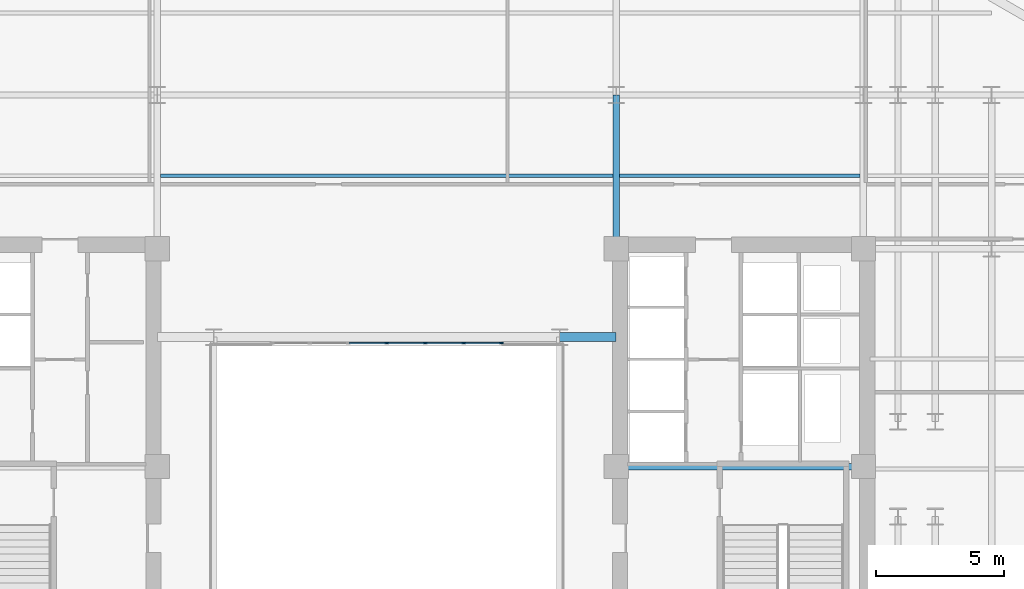
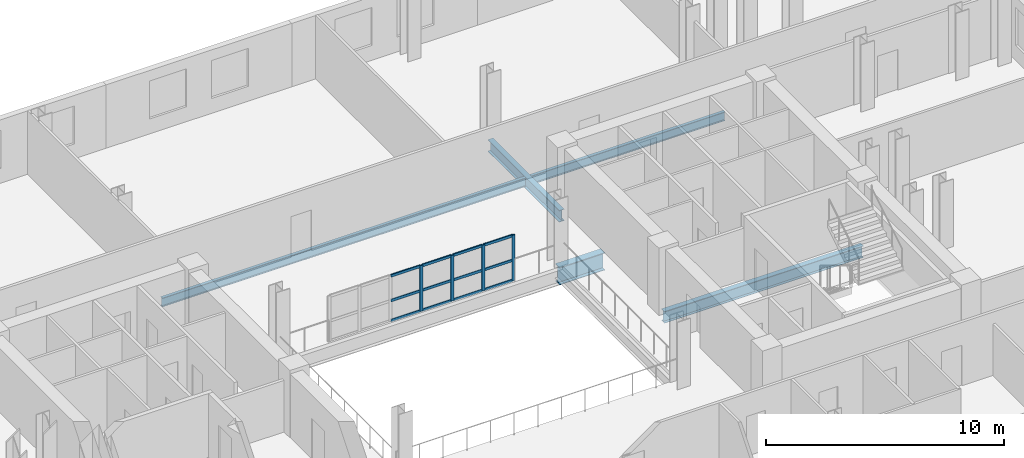
# One storey, part 4 of 12: 16 members, 5 beams, 1 element without a shape of its own.
"""IFC4 building model written with IfcOpenShell, lengths in metres."""

from ifc_helpers import new_model, si_unit, direction, frame, origin, origin_2d, place, context, subcontext, project, spatial, rectangle, i_section, extrude, material, layer, layer_set, material_profile, profile_set, type_object, element, aggregate, save


model = new_model("IFC4")

# Units and contexts
model_context = context("Model", 3, precision=1e-05, world=origin(), true_north=direction((0.0, 1.0)))
body_context = subcontext(model_context, "Body", "Model", "MODEL_VIEW")
ifc_project = project(units=[si_unit("LENGTHUNIT", "METRE"), si_unit("AREAUNIT", "SQUARE_METRE"), si_unit("VOLUMEUNIT", "CUBIC_METRE"), si_unit("PLANEANGLEUNIT", "RADIAN"), si_unit("MASSUNIT", "GRAM", prefix="KILO")], contexts=[model_context])

# Site, building, storey
site_placement = place(None, origin())
site = spatial("IfcSite", under=ifc_project, at=site_placement, CompositionType="ELEMENT")
building_placement = place(site_placement, origin())
building = spatial("IfcBuilding", under=site, at=building_placement, Name="Velakula Bourse", CompositionType="ELEMENT")
storey_placement = place(building_placement, frame((0.0, 0.0, 134.64990234375)))
storey = spatial("IfcBuildingStorey", under=building, at=storey_placement, Name="L36", CompositionType="ELEMENT", Elevation=134.64990234375)

# Beams
ifc_material_1 = material(Name="Steel IS 2062 Grade 350 (E350)", Category="steel")
ifc_material_profile_1 = material_profile(ifc_material_1, i_section(OverallWidth=0.25, OverallDepth=0.60009765625, WebThickness=0.01123046875, FlangeThickness=0.021240234375, at=origin_2d()), Name="Steel IS 2062 Grade 350 (E350)")
ifc_profile_set_1 = profile_set([ifc_material_profile_1], Name="Steel IS 2062 Grade 350 (E350)")
beam_type_1 = type_object("IfcBeamType", Name="BM-GRD-600M", PredefinedType="BEAM", material=ifc_profile_set_1)
beam_1_placement = place(storey_placement, frame((8.949951171875, 0.10009765625, -0.47998046875), z_axis=(1.0, 0.0, 0.0), x_axis=(0.0, 1.0, 0.0)))
element("IfcBeam", 1, at=beam_1_placement, inside=storey, type_object=beam_type_1, Name="L36 Primary Backbone Girder CRE-M", PredefinedType="BEAM", context=body_context, shape_type="SweptSolid", body=[
    extrude(i_section(OverallWidth=0.25, OverallDepth=0.60009765625, WebThickness=0.01123046875, FlangeThickness=0.021240234375, at=origin_2d()), origin(), (0.0, 0.0, 1.0), 9.650146484375),
])
beam_2_placement = place(storey_placement, frame((8.949951171875, 8.60009765625, -0.47998046875), z_axis=(0.0, 1.0, 0.0), x_axis=(-1.0, 0.0, 0.0)))
element("IfcBeam", 2, at=beam_2_placement, inside=storey, type_object=beam_type_1, Name="L36 Fulcrum Grid Girder FLC-ECN", PredefinedType="BEAM", context=body_context, shape_type="SweptSolid", body=[
    extrude(i_section(OverallWidth=0.25, OverallDepth=0.60009765625, WebThickness=0.01123046875, FlangeThickness=0.021240234375, at=origin_2d()), origin(), (0.0, 0.0, 1.0), 6.0),
])
ifc_material_profile_2 = material_profile(ifc_material_1, i_section(OverallWidth=0.35009765625, OverallDepth=0.89990234375, WebThickness=0.02001953125, FlangeThickness=0.031982421875, at=origin_2d()), Name="Steel IS 2062 Grade 350 (E350)")
ifc_profile_set_2 = profile_set([ifc_material_profile_2], Name="Steel IS 2062 Grade 350 (E350)")
beam_type_2 = type_object("IfcBeamType", Name="BM-LNK-900", PredefinedType="BEAM", material=ifc_profile_set_2)
beam_3_placement = place(storey_placement, frame((6.75, 5.14990234375, -0.6298828125), z_axis=(1.0, 0.0, 0.0), x_axis=(0.0, 1.0, 0.0)))
element("IfcBeam", 3, at=beam_3_placement, inside=storey, type_object=beam_type_2, Name="L36 Primary Backbone Girder LNK-N3", PredefinedType="BEAM", context=body_context, shape_type="SweptSolid", body=[
    extrude(i_section(OverallWidth=0.35009765625, OverallDepth=0.89990234375, WebThickness=0.02001953125, FlangeThickness=0.031982421875, at=origin_2d()), origin(), (0.0, 0.0, 1.0), 2.199951171875),
])
ifc_material_profile_3 = material_profile(ifc_material_1, i_section(OverallWidth=0.14990234375, OverallDepth=0.449951171875, WebThickness=0.009521484375, FlangeThickness=0.017333984375, at=origin_2d()), Name="Steel IS 2062 Grade 350 (E350)")
ifc_profile_set_3 = profile_set([ifc_material_profile_3], Name="Steel IS 2062 Grade 350 (E350)")
beam_type_3 = type_object("IfcBeamType", Name="JST-TWR-450", PredefinedType="JOIST", material=ifc_profile_set_3)
beam_4_placement = place(storey_placement, frame((-8.824951171875, 11.449951171875, -0.40478515625), z_axis=(1.0, 0.0, 0.0), x_axis=(0.0, 1.0, 0.0)))
element("IfcBeam", 4, at=beam_4_placement, inside=storey, type_object=beam_type_3, Name="L36 Trading Floor Composite Joist 13", PredefinedType="JOIST", context=body_context, shape_type="SweptSolid", body=[
    extrude(i_section(OverallWidth=0.14990234375, OverallDepth=0.449951171875, WebThickness=0.009521484375, FlangeThickness=0.017333984375, at=origin_2d()), origin(), (0.0, 0.0, 1.0), 17.64990234375),
])
beam_5_placement = place(storey_placement, frame((9.074951171875, 11.449951171875, -0.40478515625), z_axis=(1.0, 0.0, 0.0), x_axis=(0.0, 1.0, 0.0)))
element("IfcBeam", 5, at=beam_5_placement, inside=storey, type_object=beam_type_3, Name="L36 Trading Floor Composite Joist 14", PredefinedType="JOIST", context=body_context, shape_type="SweptSolid", body=[
    extrude(i_section(OverallWidth=0.14990234375, OverallDepth=0.449951171875, WebThickness=0.009521484375, FlangeThickness=0.017333984375, at=origin_2d()), origin(), (0.0, 0.0, 1.0), 9.400146484375),
])

# Curtain wall, members
ifc_material_2 = material(Name="Anodised bronze architectural aluminium", Category="aluminium")
ifc_layer = layer(ifc_material_2, 0.14990234375, Name="Anodised bronze architectural aluminium", Category="aluminium")
ifc_layer_set = layer_set([ifc_layer], Name="Anodised bronze architectural aluminium")
curtain_wall_type = type_object("IfcCurtainWallType", Name="CW-AT1", PredefinedType="NOTDEFINED", material=ifc_layer_set)
curtain_wall_placement = place(storey_placement, origin())
curtain_wall = element("IfcCurtainWall", 6, at=curtain_wall_placement, inside=storey, type_object=curtain_wall_type, Name="L36 Central Trading Atrium Fire-Rated Glazed Screen", PredefinedType="NOTDEFINED")
ifc_material_profile_4 = material_profile(ifc_material_2, rectangle(XDim=0.06005859375, YDim=0.14990234375, at=origin_2d()), Name="Anodised bronze architectural aluminium")
ifc_profile_set_4 = profile_set([ifc_material_profile_4], Name="Anodised bronze architectural aluminium")
member_type_1 = type_object("IfcMemberType", Name="MUL-CW-AT1", PredefinedType="MULLION", material=ifc_profile_set_4)
member_1_placement = place(storey_placement, frame((0.0, 4.919921875, 0.0), z_axis=(0.0, 0.0, 1.0), x_axis=(0.0, 1.0, 0.0)))
member_1 = element("IfcMember", 7, at=member_1_placement, type_object=member_type_1, Name="CW-AT1 mullion 4", PredefinedType="MULLION", context=body_context, shape_type="SweptSolid", body=[
    extrude(rectangle(XDim=0.06005859375, YDim=0.14990234375, at=origin_2d()), origin(), (0.0, 0.0, 1.0), 2.34521484375),
])
member_2_placement = place(storey_placement, frame((1.5, 4.919921875, 0.0), z_axis=(0.0, 0.0, 1.0), x_axis=(0.0, 1.0, 0.0)))
member_2 = element("IfcMember", 8, at=member_2_placement, type_object=member_type_1, Name="CW-AT1 mullion 5", PredefinedType="MULLION", context=body_context, shape_type="SweptSolid", body=[
    extrude(rectangle(XDim=0.06005859375, YDim=0.14990234375, at=origin_2d()), origin(), (0.0, 0.0, 1.0), 2.34521484375),
])
member_3_placement = place(storey_placement, frame((3.0, 4.919921875, 0.0), z_axis=(0.0, 0.0, 1.0), x_axis=(0.0, 1.0, 0.0)))
member_3 = element("IfcMember", 9, at=member_3_placement, type_object=member_type_1, Name="CW-AT1 mullion 6", PredefinedType="MULLION", context=body_context, shape_type="SweptSolid", body=[
    extrude(rectangle(XDim=0.06005859375, YDim=0.14990234375, at=origin_2d()), origin(), (0.0, 0.0, 1.0), 2.34521484375),
])
member_4_placement = place(storey_placement, frame((4.469970703125, 4.919921875, 0.0), z_axis=(0.0, 0.0, 1.0), x_axis=(0.0, 1.0, 0.0)))
member_4 = element("IfcMember", 10, at=member_4_placement, type_object=member_type_1, Name="CW-AT1 mullion 7", PredefinedType="MULLION", context=body_context, shape_type="SweptSolid", body=[
    extrude(rectangle(XDim=0.06005859375, YDim=0.14990234375, at=origin_2d()), origin(), (0.0, 0.0, 1.0), 2.34521484375),
])
ifc_material_profile_5 = material_profile(ifc_material_2, rectangle(XDim=0.06005859375, YDim=0.1298828125, at=origin_2d()), Name="Anodised bronze architectural aluminium")
ifc_profile_set_5 = profile_set([ifc_material_profile_5], Name="Anodised bronze architectural aluminium")
member_type_2 = type_object("IfcMemberType", Name="TRN-CW-AT1", PredefinedType="USERDEFINED", material=ifc_profile_set_5)
member_5_placement = place(storey_placement, frame((-1.469970703125, 4.919921875, 0.030029296875), z_axis=(1.0, 0.0, 0.0), x_axis=(0.0, 1.0, 0.0)))
member_5 = element("IfcMember", 11, at=member_5_placement, type_object=member_type_2, Name="CW-AT1 transom 3.1", ObjectType="TRANSOM", PredefinedType="USERDEFINED", context=body_context, shape_type="SweptSolid", body=[
    extrude(rectangle(XDim=0.06005859375, YDim=0.1298828125, at=origin_2d()), origin(), (0.0, 0.0, 1.0), 1.43994140625),
])
member_6_placement = place(storey_placement, frame((-1.469970703125, 4.919921875, 1.055419921875), z_axis=(1.0, 0.0, 0.0), x_axis=(0.0, 1.0, 0.0)))
member_6 = element("IfcMember", 12, at=member_6_placement, type_object=member_type_2, Name="CW-AT1 transom 3.2", ObjectType="TRANSOM", PredefinedType="USERDEFINED", context=body_context, shape_type="SweptSolid", body=[
    extrude(rectangle(XDim=0.06005859375, YDim=0.1298828125, at=origin_2d()), origin(), (0.0, 0.0, 1.0), 1.43994140625),
])
member_7_placement = place(storey_placement, frame((-1.469970703125, 4.919921875, 2.315185546875), z_axis=(1.0, 0.0, 0.0), x_axis=(0.0, 1.0, 0.0)))
member_7 = element("IfcMember", 13, at=member_7_placement, type_object=member_type_2, Name="CW-AT1 transom 3.3", ObjectType="TRANSOM", PredefinedType="USERDEFINED", context=body_context, shape_type="SweptSolid", body=[
    extrude(rectangle(XDim=0.06005859375, YDim=0.1298828125, at=origin_2d()), origin(), (0.0, 0.0, 1.0), 1.43994140625),
])
member_8_placement = place(storey_placement, frame((0.030029296875, 4.919921875, 0.030029296875), z_axis=(1.0, 0.0, 0.0), x_axis=(0.0, 1.0, 0.0)))
member_8 = element("IfcMember", 14, at=member_8_placement, type_object=member_type_2, Name="CW-AT1 transom 4.1", ObjectType="TRANSOM", PredefinedType="USERDEFINED", context=body_context, shape_type="SweptSolid", body=[
    extrude(rectangle(XDim=0.06005859375, YDim=0.1298828125, at=origin_2d()), origin(), (0.0, 0.0, 1.0), 1.43994140625),
])
member_9_placement = place(storey_placement, frame((0.030029296875, 4.919921875, 1.055419921875), z_axis=(1.0, 0.0, 0.0), x_axis=(0.0, 1.0, 0.0)))
member_9 = element("IfcMember", 15, at=member_9_placement, type_object=member_type_2, Name="CW-AT1 transom 4.2", ObjectType="TRANSOM", PredefinedType="USERDEFINED", context=body_context, shape_type="SweptSolid", body=[
    extrude(rectangle(XDim=0.06005859375, YDim=0.1298828125, at=origin_2d()), origin(), (0.0, 0.0, 1.0), 1.43994140625),
])
member_10_placement = place(storey_placement, frame((0.030029296875, 4.919921875, 2.315185546875), z_axis=(1.0, 0.0, 0.0), x_axis=(0.0, 1.0, 0.0)))
member_10 = element("IfcMember", 16, at=member_10_placement, type_object=member_type_2, Name="CW-AT1 transom 4.3", ObjectType="TRANSOM", PredefinedType="USERDEFINED", context=body_context, shape_type="SweptSolid", body=[
    extrude(rectangle(XDim=0.06005859375, YDim=0.1298828125, at=origin_2d()), origin(), (0.0, 0.0, 1.0), 1.43994140625),
])
member_11_placement = place(storey_placement, frame((1.530029296875, 4.919921875, 0.030029296875), z_axis=(1.0, 0.0, 0.0), x_axis=(0.0, 1.0, 0.0)))
member_11 = element("IfcMember", 17, at=member_11_placement, type_object=member_type_2, Name="CW-AT1 transom 5.1", ObjectType="TRANSOM", PredefinedType="USERDEFINED", context=body_context, shape_type="SweptSolid", body=[
    extrude(rectangle(XDim=0.06005859375, YDim=0.1298828125, at=origin_2d()), origin(), (0.0, 0.0, 1.0), 1.43994140625),
])
member_12_placement = place(storey_placement, frame((1.530029296875, 4.919921875, 1.055419921875), z_axis=(1.0, 0.0, 0.0), x_axis=(0.0, 1.0, 0.0)))
member_12 = element("IfcMember", 18, at=member_12_placement, type_object=member_type_2, Name="CW-AT1 transom 5.2", ObjectType="TRANSOM", PredefinedType="USERDEFINED", context=body_context, shape_type="SweptSolid", body=[
    extrude(rectangle(XDim=0.06005859375, YDim=0.1298828125, at=origin_2d()), origin(), (0.0, 0.0, 1.0), 1.43994140625),
])
member_13_placement = place(storey_placement, frame((1.530029296875, 4.919921875, 2.315185546875), z_axis=(1.0, 0.0, 0.0), x_axis=(0.0, 1.0, 0.0)))
member_13 = element("IfcMember", 19, at=member_13_placement, type_object=member_type_2, Name="CW-AT1 transom 5.3", ObjectType="TRANSOM", PredefinedType="USERDEFINED", context=body_context, shape_type="SweptSolid", body=[
    extrude(rectangle(XDim=0.06005859375, YDim=0.1298828125, at=origin_2d()), origin(), (0.0, 0.0, 1.0), 1.43994140625),
])
member_14_placement = place(storey_placement, frame((3.030029296875, 4.919921875, 0.030029296875), z_axis=(1.0, 0.0, 0.0), x_axis=(0.0, 1.0, 0.0)))
member_14 = element("IfcMember", 20, at=member_14_placement, type_object=member_type_2, Name="CW-AT1 transom 6.1", ObjectType="TRANSOM", PredefinedType="USERDEFINED", context=body_context, shape_type="SweptSolid", body=[
    extrude(rectangle(XDim=0.06005859375, YDim=0.1298828125, at=origin_2d()), origin(), (0.0, 0.0, 1.0), 1.409912109375),
])
member_15_placement = place(storey_placement, frame((3.030029296875, 4.919921875, 1.055419921875), z_axis=(1.0, 0.0, 0.0), x_axis=(0.0, 1.0, 0.0)))
member_15 = element("IfcMember", 21, at=member_15_placement, type_object=member_type_2, Name="CW-AT1 transom 6.2", ObjectType="TRANSOM", PredefinedType="USERDEFINED", context=body_context, shape_type="SweptSolid", body=[
    extrude(rectangle(XDim=0.06005859375, YDim=0.1298828125, at=origin_2d()), origin(), (0.0, 0.0, 1.0), 1.409912109375),
])
member_16_placement = place(storey_placement, frame((3.030029296875, 4.919921875, 2.315185546875), z_axis=(1.0, 0.0, 0.0), x_axis=(0.0, 1.0, 0.0)))
member_16 = element("IfcMember", 22, at=member_16_placement, type_object=member_type_2, Name="CW-AT1 transom 6.3", ObjectType="TRANSOM", PredefinedType="USERDEFINED", context=body_context, shape_type="SweptSolid", body=[
    extrude(rectangle(XDim=0.06005859375, YDim=0.1298828125, at=origin_2d()), origin(), (0.0, 0.0, 1.0), 1.409912109375),
])
aggregate(curtain_wall, [member_1, member_2, member_3, member_4, member_5, member_6, member_7, member_8, member_9, member_10, member_11, member_12, member_13, member_14, member_15, member_16])

save(model, "model.ifc")
